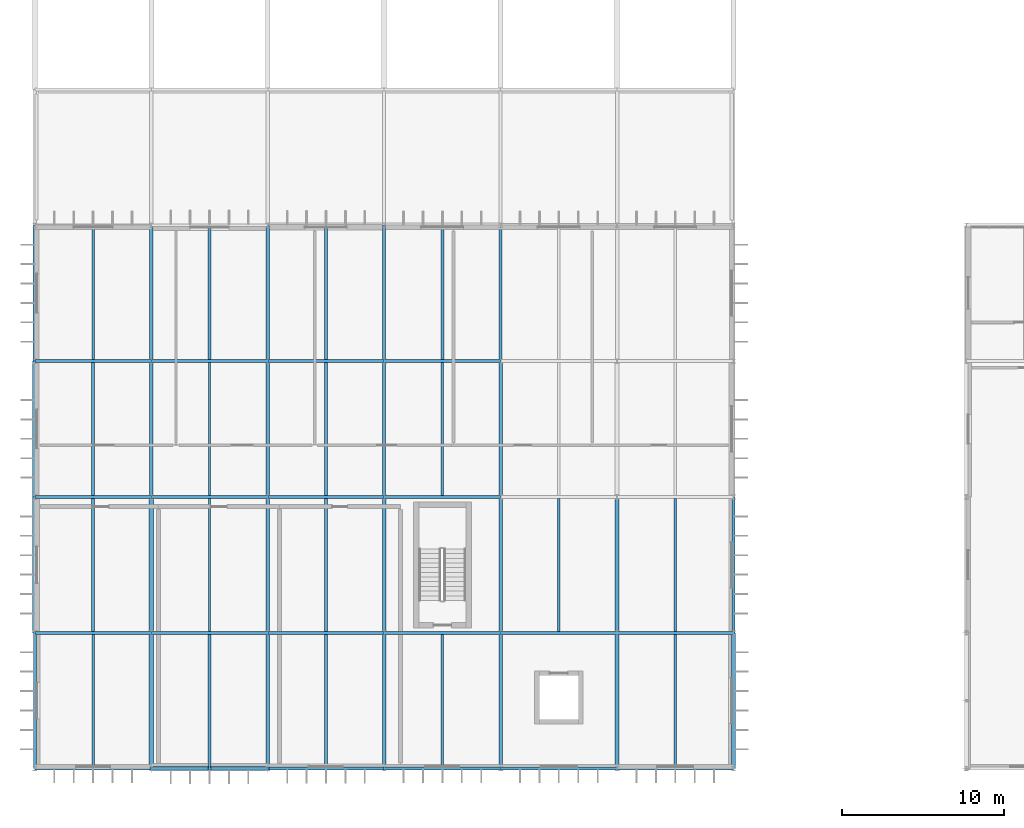
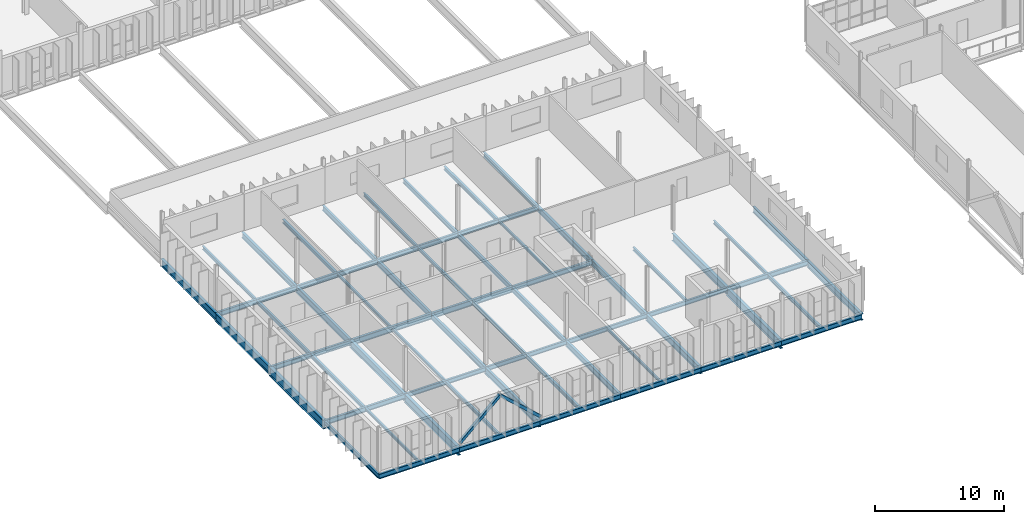
# One storey, part 26 of 119: 62 beams, 2 members.
"""IFC4 building model written with IfcOpenShell, lengths in metres."""

from ifc_helpers import new_model, si_unit, direction, frame, origin, origin_2d, place, context, subcontext, project, spatial, hollow_rectangle, i_section, extrude, material, material_profile, profile_set, type_object, element, save


model = new_model("IFC4")

# Units and contexts
model_context = context("Model", 3, precision=1e-05, world=origin(), true_north=direction((0.0, 1.0)))
body_context = subcontext(model_context, "Body", "Model", "MODEL_VIEW")
ifc_project = project(units=[si_unit("LENGTHUNIT", "METRE"), si_unit("AREAUNIT", "SQUARE_METRE"), si_unit("VOLUMEUNIT", "CUBIC_METRE"), si_unit("PLANEANGLEUNIT", "RADIAN"), si_unit("MASSUNIT", "GRAM", prefix="KILO")], contexts=[model_context])

# Site, building, storey
site_placement = place(None, origin())
site = spatial("IfcSite", under=ifc_project, at=site_placement, CompositionType="ELEMENT")
building_placement = place(site_placement, origin())
building = spatial("IfcBuilding", under=site, at=building_placement, Name="Qelthora Terrace Specialist Clinic", CompositionType="ELEMENT")
storey_placement = place(building_placement, frame((0.0, 0.0, 4.800048828125)))
storey = spatial("IfcBuildingStorey", under=building, at=storey_placement, Name="L01", CompositionType="ELEMENT", Elevation=4.800048828125)

# Beams
ifc_material = material(Name="Steel S355", Category="steel")
ifc_material_profile_1 = material_profile(ifc_material, i_section(OverallWidth=0.178955078125, OverallDepth=0.409912109375, WebThickness=0.0087890625, FlangeThickness=0.014404296875, FilletRadius=0.011962890625, at=origin_2d()), Name="W410X67")
ifc_profile_set_1 = profile_set([ifc_material_profile_1], Name="Steel S355")
beam_type_1 = type_object("IfcBeamType", Name="BM-W410X67", PredefinedType="BEAM", material=ifc_profile_set_1)
beam_1_placement = place(storey_placement, frame((14.39990234375, 8.39990234375, -0.455078125), z_axis=(1.0, 0.0, 0.0), x_axis=(0.0, 1.0, 0.0)))
element("IfcBeam", 1, at=beam_1_placement, inside=storey, type_object=beam_type_1, Name="Girder BMX-L01-0150", PredefinedType="BEAM", context=body_context, shape_type="SweptSolid", body=[
    extrude(i_section(OverallWidth=0.178955078125, OverallDepth=0.409912109375, WebThickness=0.0087890625, FlangeThickness=0.014404296875, FilletRadius=0.011962890625, at=origin_2d()), origin(), (0.0, 0.0, 1.0), 7.2001953125),
])
beam_2_placement = place(storey_placement, frame((28.800048828125, 8.39990234375, -0.455078125), z_axis=(1.0, 0.0, 0.0), x_axis=(0.0, 1.0, 0.0)))
element("IfcBeam", 2, at=beam_2_placement, inside=storey, type_object=beam_type_1, Name="Girder BMX-L01-0152", PredefinedType="BEAM", context=body_context, shape_type="SweptSolid", body=[
    extrude(i_section(OverallWidth=0.178955078125, OverallDepth=0.409912109375, WebThickness=0.0087890625, FlangeThickness=0.014404296875, FilletRadius=0.011962890625, at=origin_2d()), origin(), (0.0, 0.0, 1.0), 7.199951171875),
])
beam_3_placement = place(storey_placement, frame((0.0, 0.0, -0.455078125), z_axis=(0.0, 1.0, 0.0), x_axis=(-1.0, 0.0, 0.0)))
element("IfcBeam", 3, at=beam_3_placement, inside=storey, type_object=beam_type_1, Name="Girder BMY-L01-0340", PredefinedType="BEAM", context=body_context, shape_type="SweptSolid", body=[
    extrude(i_section(OverallWidth=0.178955078125, OverallDepth=0.409912109375, WebThickness=0.0087890625, FlangeThickness=0.014404296875, FilletRadius=0.011962890625, at=origin_2d()), origin(), (0.0, 0.0, 1.0), 8.39990234375),
])
ifc_material_profile_2 = material_profile(ifc_material, i_section(OverallWidth=0.179931640625, OverallDepth=0.4130859375, WebThickness=0.009765625, FlangeThickness=0.01611328125, FilletRadius=0.011962890625, at=origin_2d()), Name="W410X75")
ifc_profile_set_2 = profile_set([ifc_material_profile_2], Name="Steel S355")
beam_type_2 = type_object("IfcBeamType", Name="BM-W410X75", PredefinedType="BEAM", material=ifc_profile_set_2)
for number, where, z_axis, x_axis, name in (
    (4, (7.199951171875, 8.39990234375, -0.45654296875), (1.0, 0.0, 0.0), (0.0, 1.0, 0.0), "Girder BMX-L01-0149"),
    (5, (21.60009765625, 8.39990234375, -0.45654296875), (1.0, 0.0, 0.0), (0.0, 1.0, 0.0), "Girder BMX-L01-0151"),
    (6, (21.60009765625, 25.199951171875, -0.45654296875), (1.0, 0.0, 0.0), (0.0, 1.0, 0.0), "Girder BMX-L01-0177"),
):
    element("IfcBeam", number, at=place(storey_placement, frame(where, z_axis=z_axis, x_axis=x_axis)), inside=storey, type_object=beam_type_2, Name=name, PredefinedType="BEAM", context=body_context, shape_type="SweptSolid", body=[
        extrude(i_section(OverallWidth=0.179931640625, OverallDepth=0.4130859375, WebThickness=0.009765625, FlangeThickness=0.01611328125, FilletRadius=0.011962890625, at=origin_2d()), origin(), (0.0, 0.0, 1.0), 7.199951171875),
    ])
beam_4_placement = place(storey_placement, frame((21.60009765625, 25.199951171875, -0.45654296875), z_axis=(0.0, 1.0, 0.0), x_axis=(-1.0, 0.0, 0.0)))
element("IfcBeam", 7, at=beam_4_placement, inside=storey, type_object=beam_type_2, Name="Girder BMY-L01-0379", PredefinedType="BEAM", context=body_context, shape_type="SweptSolid", body=[
    extrude(i_section(OverallWidth=0.179931640625, OverallDepth=0.4130859375, WebThickness=0.009765625, FlangeThickness=0.01611328125, FilletRadius=0.011962890625, at=origin_2d()), origin(), (0.0, 0.0, 1.0), 8.400146484375),
])
ifc_material_profile_3 = material_profile(ifc_material, i_section(OverallWidth=0.19091796875, OverallDepth=0.4599609375, WebThickness=0.010009765625, FlangeThickness=0.01611328125, FilletRadius=0.012939453125, at=origin_2d()), Name="W460X82")
ifc_profile_set_3 = profile_set([ifc_material_profile_3], Name="Steel S355")
beam_type_3 = type_object("IfcBeamType", Name="BM-W460X82", PredefinedType="BEAM", material=ifc_profile_set_3)
beam_5_placement = place(storey_placement, frame((36.0, 8.39990234375, -0.47998046875), z_axis=(1.0, 0.0, 0.0), x_axis=(0.0, 1.0, 0.0)))
element("IfcBeam", 8, at=beam_5_placement, inside=storey, type_object=beam_type_3, Name="Girder BMX-L01-0153", PredefinedType="BEAM", context=body_context, shape_type="SweptSolid", body=[
    extrude(i_section(OverallWidth=0.19091796875, OverallDepth=0.4599609375, WebThickness=0.010009765625, FlangeThickness=0.01611328125, FilletRadius=0.012939453125, at=origin_2d()), origin(), (0.0, 0.0, 1.0), 7.199951171875),
])
beam_6_placement = place(storey_placement, frame((14.39990234375, 25.199951171875, -0.47998046875), z_axis=(1.0, 0.0, 0.0), x_axis=(0.0, 1.0, 0.0)))
element("IfcBeam", 9, at=beam_6_placement, inside=storey, type_object=beam_type_3, Name="Girder BMX-L01-0176", PredefinedType="BEAM", context=body_context, shape_type="SweptSolid", body=[
    extrude(i_section(OverallWidth=0.19091796875, OverallDepth=0.4599609375, WebThickness=0.010009765625, FlangeThickness=0.01611328125, FilletRadius=0.012939453125, at=origin_2d()), origin(), (0.0, 0.0, 1.0), 7.2001953125),
])
beam_7_placement = place(storey_placement, frame((21.60009765625, 16.800048828125, -0.47998046875), z_axis=(0.0, 1.0, 0.0), x_axis=(-1.0, 0.0, 0.0)))
element("IfcBeam", 10, at=beam_7_placement, inside=storey, type_object=beam_type_3, Name="Girder BMY-L01-0378", PredefinedType="BEAM", context=body_context, shape_type="SweptSolid", body=[
    extrude(i_section(OverallWidth=0.19091796875, OverallDepth=0.4599609375, WebThickness=0.010009765625, FlangeThickness=0.01611328125, FilletRadius=0.012939453125, at=origin_2d()), origin(), (0.0, 0.0, 1.0), 8.39990234375),
])
ifc_material_profile_4 = material_profile(ifc_material, i_section(OverallWidth=0.193115234375, OverallDepth=0.466064453125, WebThickness=0.011474609375, FlangeThickness=0.01904296875, FilletRadius=0.012939453125, at=origin_2d()), Name="W460X97")
ifc_profile_set_4 = profile_set([ifc_material_profile_4], Name="Steel S355")
beam_type_4 = type_object("IfcBeamType", Name="BM-W460X97", PredefinedType="BEAM", material=ifc_profile_set_4)
for number, where, z_axis, x_axis, name in (
    (11, (21.60009765625, 16.800048828125, -0.483154296875), (1.0, 0.0, 0.0), (0.0, 1.0, 0.0), "Girder BMX-L01-0161"),
    (12, (7.199951171875, 25.199951171875, -0.483154296875), (1.0, 0.0, 0.0), (0.0, 1.0, 0.0), "Girder BMX-L01-0175"),
):
    element("IfcBeam", number, at=place(storey_placement, frame(where, z_axis=z_axis, x_axis=x_axis)), inside=storey, type_object=beam_type_4, Name=name, PredefinedType="BEAM", context=body_context, shape_type="SweptSolid", body=[
        extrude(i_section(OverallWidth=0.193115234375, OverallDepth=0.466064453125, WebThickness=0.011474609375, FlangeThickness=0.01904296875, FilletRadius=0.012939453125, at=origin_2d()), origin(), (0.0, 0.0, 1.0), 7.199951171875),
    ])
for number, where, z_axis, x_axis, name in (
    (13, (14.39990234375, 25.199951171875, -0.483154296875), (0.0, 1.0, 0.0), (-1.0, 0.0, 0.0), "Girder BMY-L01-0367"),
    (14, (21.60009765625, 8.39990234375, -0.483154296875), (0.0, 1.0, 0.0), (-1.0, 0.0, 0.0), "Girder BMY-L01-0377"),
    (15, (28.800048828125, 25.199951171875, -0.483154296875), (0.0, 1.0, 0.0), (-1.0, 0.0, 0.0), "Girder BMY-L01-0387"),
):
    element("IfcBeam", number, at=place(storey_placement, frame(where, z_axis=z_axis, x_axis=x_axis)), inside=storey, type_object=beam_type_4, Name=name, PredefinedType="BEAM", context=body_context, shape_type="SweptSolid", body=[
        extrude(i_section(OverallWidth=0.193115234375, OverallDepth=0.466064453125, WebThickness=0.011474609375, FlangeThickness=0.01904296875, FilletRadius=0.012939453125, at=origin_2d()), origin(), (0.0, 0.0, 1.0), 8.400146484375),
    ])
ifc_material_profile_5 = material_profile(ifc_material, i_section(OverallWidth=0.2099609375, OverallDepth=0.537109375, WebThickness=0.010986328125, FlangeThickness=0.017333984375, FilletRadius=0.013916015625, at=origin_2d()), Name="W530X101")
ifc_profile_set_5 = profile_set([ifc_material_profile_5], Name="Steel S355")
beam_type_5 = type_object("IfcBeamType", Name="BM-W530X101", PredefinedType="BEAM", material=ifc_profile_set_5)
beam_8_placement = place(storey_placement, frame((14.39990234375, 16.800048828125, -0.5185546875), z_axis=(1.0, 0.0, 0.0), x_axis=(0.0, 1.0, 0.0)))
element("IfcBeam", 16, at=beam_8_placement, inside=storey, type_object=beam_type_5, Name="Girder BMX-L01-0160", PredefinedType="BEAM", context=body_context, shape_type="SweptSolid", body=[
    extrude(i_section(OverallWidth=0.2099609375, OverallDepth=0.537109375, WebThickness=0.010986328125, FlangeThickness=0.017333984375, FilletRadius=0.013916015625, at=origin_2d()), origin(), (0.0, 0.0, 1.0), 7.2001953125),
])
for number, where, z_axis, x_axis, name in (
    (17, (14.39990234375, 16.800048828125, -0.5185546875), (0.0, 1.0, 0.0), (-1.0, 0.0, 0.0), "Girder BMY-L01-0366"),
    (18, (21.60009765625, 0.0, -0.5185546875), (0.0, 1.0, 0.0), (-1.0, 0.0, 0.0), "Girder BMY-L01-0376"),
    (19, (28.800048828125, 16.800048828125, -0.5185546875), (0.0, 1.0, 0.0), (-1.0, 0.0, 0.0), "Girder BMY-L01-0386"),
):
    element("IfcBeam", number, at=place(storey_placement, frame(where, z_axis=z_axis, x_axis=x_axis)), inside=storey, type_object=beam_type_5, Name=name, PredefinedType="BEAM", context=body_context, shape_type="SweptSolid", body=[
        extrude(i_section(OverallWidth=0.2099609375, OverallDepth=0.537109375, WebThickness=0.010986328125, FlangeThickness=0.017333984375, FilletRadius=0.013916015625, at=origin_2d()), origin(), (0.0, 0.0, 1.0), 8.39990234375),
    ])
ifc_material_profile_6 = material_profile(ifc_material, i_section(OverallWidth=0.2119140625, OverallDepth=0.5439453125, WebThickness=0.01318359375, FlangeThickness=0.021240234375, FilletRadius=0.013916015625, at=origin_2d()), Name="W530X123")
ifc_profile_set_6 = profile_set([ifc_material_profile_6], Name="Steel S355")
beam_type_6 = type_object("IfcBeamType", Name="BM-W530X123", PredefinedType="BEAM", material=ifc_profile_set_6)
beam_9_placement = place(storey_placement, frame((7.199951171875, 16.800048828125, -0.52197265625), z_axis=(1.0, 0.0, 0.0), x_axis=(0.0, 1.0, 0.0)))
element("IfcBeam", 20, at=beam_9_placement, inside=storey, type_object=beam_type_6, Name="Girder BMX-L01-0159", PredefinedType="BEAM", context=body_context, shape_type="SweptSolid", body=[
    extrude(i_section(OverallWidth=0.2119140625, OverallDepth=0.5439453125, WebThickness=0.01318359375, FlangeThickness=0.021240234375, FilletRadius=0.013916015625, at=origin_2d()), origin(), (0.0, 0.0, 1.0), 7.199951171875),
])
for number, where, z_axis, x_axis, name in (
    (21, (7.199951171875, 25.199951171875, -0.52197265625), (0.0, 1.0, 0.0), (-1.0, 0.0, 0.0), "Girder BMY-L01-0355"),
    (22, (14.39990234375, 8.39990234375, -0.52197265625), (0.0, 1.0, 0.0), (-1.0, 0.0, 0.0), "Girder BMY-L01-0365"),
    (23, (28.800048828125, 8.39990234375, -0.52197265625), (0.0, 1.0, 0.0), (-1.0, 0.0, 0.0), "Girder BMY-L01-0385"),
    (24, (43.199951171875, 8.39990234375, -0.52197265625), (0.0, 1.0, 0.0), (-1.0, 0.0, 0.0), "Girder BMY-L01-0405"),
):
    element("IfcBeam", number, at=place(storey_placement, frame(where, z_axis=z_axis, x_axis=x_axis)), inside=storey, type_object=beam_type_6, Name=name, PredefinedType="BEAM", context=body_context, shape_type="SweptSolid", body=[
        extrude(i_section(OverallWidth=0.2119140625, OverallDepth=0.5439453125, WebThickness=0.01318359375, FlangeThickness=0.021240234375, FilletRadius=0.013916015625, at=origin_2d()), origin(), (0.0, 0.0, 1.0), 8.400146484375),
    ])
ifc_material_profile_7 = material_profile(ifc_material, i_section(OverallWidth=0.22998046875, OverallDepth=0.616943359375, WebThickness=0.01318359375, FlangeThickness=0.022216796875, FilletRadius=0.01611328125, at=origin_2d()), Name="W610X140")
ifc_profile_set_7 = profile_set([ifc_material_profile_7], Name="Steel S355")
beam_type_7 = type_object("IfcBeamType", Name="BM-W610X140", PredefinedType="BEAM", material=ifc_profile_set_7)
for number, where, z_axis, x_axis, name in (
    (25, (7.199951171875, 16.800048828125, -0.55859375), (0.0, 1.0, 0.0), (-1.0, 0.0, 0.0), "Girder BMY-L01-0354"),
    (26, (14.39990234375, 0.0, -0.55859375), (0.0, 1.0, 0.0), (-1.0, 0.0, 0.0), "Girder BMY-L01-0364"),
    (27, (28.800048828125, 0.0, -0.55859375), (0.0, 1.0, 0.0), (-1.0, 0.0, 0.0), "Girder BMY-L01-0384"),
    (28, (43.199951171875, 0.0, -0.55859375), (0.0, 1.0, 0.0), (-1.0, 0.0, 0.0), "Girder BMY-L01-0404"),
):
    element("IfcBeam", number, at=place(storey_placement, frame(where, z_axis=z_axis, x_axis=x_axis)), inside=storey, type_object=beam_type_7, Name=name, PredefinedType="BEAM", context=body_context, shape_type="SweptSolid", body=[
        extrude(i_section(OverallWidth=0.22998046875, OverallDepth=0.616943359375, WebThickness=0.01318359375, FlangeThickness=0.022216796875, FilletRadius=0.01611328125, at=origin_2d()), origin(), (0.0, 0.0, 1.0), 8.39990234375),
    ])
ifc_material_profile_8 = material_profile(ifc_material, i_section(OverallWidth=0.256103515625, OverallDepth=0.693115234375, WebThickness=0.014404296875, FlangeThickness=0.023681640625, FilletRadius=0.01806640625, at=origin_2d()), Name="W690X170")
ifc_profile_set_8 = profile_set([ifc_material_profile_8], Name="Steel S355")
beam_type_8 = type_object("IfcBeamType", Name="BM-W690X170", PredefinedType="BEAM", material=ifc_profile_set_8)
for number, where, z_axis, x_axis, name in (
    (29, (0.0, 25.199951171875, -0.596435546875), (0.0, 1.0, 0.0), (-1.0, 0.0, 0.0), "Girder BMY-L01-0343"),
    (30, (7.199951171875, 8.39990234375, -0.596435546875), (0.0, 1.0, 0.0), (-1.0, 0.0, 0.0), "Girder BMY-L01-0353"),
    (31, (36.0, 8.39990234375, -0.596435546875), (0.0, 1.0, 0.0), (-1.0, 0.0, 0.0), "Girder BMY-L01-0393"),
):
    element("IfcBeam", number, at=place(storey_placement, frame(where, z_axis=z_axis, x_axis=x_axis)), inside=storey, type_object=beam_type_8, Name=name, PredefinedType="BEAM", context=body_context, shape_type="SweptSolid", body=[
        extrude(i_section(OverallWidth=0.256103515625, OverallDepth=0.693115234375, WebThickness=0.014404296875, FlangeThickness=0.023681640625, FilletRadius=0.01806640625, at=origin_2d()), origin(), (0.0, 0.0, 1.0), 8.400146484375),
    ])
ifc_material_profile_9 = material_profile(ifc_material, i_section(OverallWidth=0.26806640625, OverallDepth=0.77001953125, WebThickness=0.015625, FlangeThickness=0.025390625, FilletRadius=0.01904296875, at=origin_2d()), Name="W760X196")
ifc_profile_set_9 = profile_set([ifc_material_profile_9], Name="Steel S355")
beam_type_9 = type_object("IfcBeamType", Name="BM-W760X196", PredefinedType="BEAM", material=ifc_profile_set_9)
for number, where, z_axis, x_axis, name in (
    (32, (0.0, 16.800048828125, -0.635009765625), (0.0, 1.0, 0.0), (-1.0, 0.0, 0.0), "Girder BMY-L01-0342"),
    (33, (7.199951171875, 0.0, -0.635009765625), (0.0, 1.0, 0.0), (-1.0, 0.0, 0.0), "Girder BMY-L01-0352"),
    (34, (36.0, 0.0, -0.635009765625), (0.0, 1.0, 0.0), (-1.0, 0.0, 0.0), "Girder BMY-L01-0392"),
):
    element("IfcBeam", number, at=place(storey_placement, frame(where, z_axis=z_axis, x_axis=x_axis)), inside=storey, type_object=beam_type_9, Name=name, PredefinedType="BEAM", context=body_context, shape_type="SweptSolid", body=[
        extrude(i_section(OverallWidth=0.26806640625, OverallDepth=0.77001953125, WebThickness=0.015625, FlangeThickness=0.025390625, FilletRadius=0.01904296875, at=origin_2d()), origin(), (0.0, 0.0, 1.0), 8.39990234375),
    ])
ifc_material_profile_10 = material_profile(ifc_material, i_section(OverallWidth=0.2939453125, OverallDepth=0.85107421875, WebThickness=0.01611328125, FlangeThickness=0.02685546875, FilletRadius=0.02001953125, at=origin_2d()), Name="W840X226")
ifc_profile_set_10 = profile_set([ifc_material_profile_10], Name="Steel S355")
beam_type_10 = type_object("IfcBeamType", Name="BM-W840X226", PredefinedType="BEAM", material=ifc_profile_set_10)
beam_10_placement = place(storey_placement, frame((0.0, 8.39990234375, -0.675537109375), z_axis=(0.0, 1.0, 0.0), x_axis=(-1.0, 0.0, 0.0)))
element("IfcBeam", 35, at=beam_10_placement, inside=storey, type_object=beam_type_10, Name="Girder BMY-L01-0341", PredefinedType="BEAM", context=body_context, shape_type="SweptSolid", body=[
    extrude(i_section(OverallWidth=0.2939453125, OverallDepth=0.85107421875, WebThickness=0.01611328125, FlangeThickness=0.02685546875, FilletRadius=0.02001953125, at=origin_2d()), origin(), (0.0, 0.0, 1.0), 8.400146484375),
])
ifc_material_profile_11 = material_profile(ifc_material, i_section(OverallWidth=0.14599609375, OverallDepth=0.258056640625, WebThickness=0.006103515625, FlangeThickness=0.009033203125, FilletRadius=0.009033203125, at=origin_2d()), Name="W250X33")
ifc_profile_set_11 = profile_set([ifc_material_profile_11], Name="Steel S355")
beam_type_11 = type_object("IfcBeamType", Name="JST-W250X33", PredefinedType="JOIST", material=ifc_profile_set_11)
beam_11_placement = place(storey_placement, frame((3.60009765625, 0.095458984375, -0.379150390625), z_axis=(0.0, 1.0, 0.0), x_axis=(-1.0, 0.0, 0.0)))
element("IfcBeam", 36, at=beam_11_placement, inside=storey, type_object=beam_type_11, Name="Composite floor joist JST-L01-0042", PredefinedType="JOIST", context=body_context, shape_type="SweptSolid", body=[
    extrude(i_section(OverallWidth=0.14599609375, OverallDepth=0.258056640625, WebThickness=0.006103515625, FlangeThickness=0.009033203125, FilletRadius=0.009033203125, at=origin_2d()), origin(), (0.0, 0.0, 1.0), 8.208984375),
])
beam_12_placement = place(storey_placement, frame((10.800048828125, 16.906005859375, -0.379150390625), z_axis=(0.0, 1.0, 0.0), x_axis=(-1.0, 0.0, 0.0)))
element("IfcBeam", 37, at=beam_12_placement, inside=storey, type_object=beam_type_11, Name="Composite floor joist JST-L01-0054", PredefinedType="JOIST", context=body_context, shape_type="SweptSolid", body=[
    extrude(i_section(OverallWidth=0.14599609375, OverallDepth=0.258056640625, WebThickness=0.006103515625, FlangeThickness=0.009033203125, FilletRadius=0.009033203125, at=origin_2d()), origin(), (0.0, 0.0, 1.0), 8.197509765625),
])
beam_13_placement = place(storey_placement, frame((25.199951171875, 16.896484375, -0.379150390625), z_axis=(0.0, 1.0, 0.0), x_axis=(-1.0, 0.0, 0.0)))
element("IfcBeam", 38, at=beam_13_placement, inside=storey, type_object=beam_type_11, Name="Composite floor joist JST-L01-0066", PredefinedType="JOIST", context=body_context, shape_type="SweptSolid", body=[
    extrude(i_section(OverallWidth=0.14599609375, OverallDepth=0.258056640625, WebThickness=0.006103515625, FlangeThickness=0.009033203125, FilletRadius=0.009033203125, at=origin_2d()), origin(), (0.0, 0.0, 1.0), 8.213623046875),
])
ifc_material_profile_12 = material_profile(ifc_material, i_section(OverallWidth=0.14697265625, OverallDepth=0.261962890625, WebThickness=0.006591796875, FlangeThickness=0.01123046875, FilletRadius=0.009033203125, at=origin_2d()), Name="W250X39")
ifc_profile_set_12 = profile_set([ifc_material_profile_12], Name="Steel S355")
beam_type_12 = type_object("IfcBeamType", Name="JST-W250X39", PredefinedType="JOIST", material=ifc_profile_set_12)
beam_14_placement = place(storey_placement, frame((10.800048828125, 8.489990234375, -0.381103515625), z_axis=(0.0, 1.0, 0.0), x_axis=(-1.0, 0.0, 0.0)))
element("IfcBeam", 39, at=beam_14_placement, inside=storey, type_object=beam_type_12, Name="Composite floor joist JST-L01-0053", PredefinedType="JOIST", context=body_context, shape_type="SweptSolid", body=[
    extrude(i_section(OverallWidth=0.14697265625, OverallDepth=0.261962890625, WebThickness=0.006591796875, FlangeThickness=0.01123046875, FilletRadius=0.009033203125, at=origin_2d()), origin(), (0.0, 0.0, 1.0), 8.2041015625),
])
beam_15_placement = place(storey_placement, frame((25.199951171875, 0.095458984375, -0.381103515625), z_axis=(0.0, 1.0, 0.0), x_axis=(-1.0, 0.0, 0.0)))
element("IfcBeam", 40, at=beam_15_placement, inside=storey, type_object=beam_type_12, Name="Composite floor joist JST-L01-0065", PredefinedType="JOIST", context=body_context, shape_type="SweptSolid", body=[
    extrude(i_section(OverallWidth=0.14697265625, OverallDepth=0.261962890625, WebThickness=0.006591796875, FlangeThickness=0.01123046875, FilletRadius=0.009033203125, at=origin_2d()), origin(), (0.0, 0.0, 1.0), 8.214599609375),
])
ifc_material_profile_13 = material_profile(ifc_material, i_section(OverallWidth=0.166015625, OverallDepth=0.31298828125, WebThickness=0.006591796875, FlangeThickness=0.01123046875, FilletRadius=0.010009765625, at=origin_2d()), Name="W310X45")
ifc_profile_set_13 = profile_set([ifc_material_profile_13], Name="Steel S355")
beam_type_13 = type_object("IfcBeamType", Name="JST-W310X45", PredefinedType="JOIST", material=ifc_profile_set_13)
beam_16_placement = place(storey_placement, frame((10.800048828125, 0.095458984375, -0.406494140625), z_axis=(0.0, 1.0, 0.0), x_axis=(-1.0, 0.0, 0.0)))
element("IfcBeam", 41, at=beam_16_placement, inside=storey, type_object=beam_type_13, Name="Composite floor joist JST-L01-0052", PredefinedType="JOIST", context=body_context, shape_type="SweptSolid", body=[
    extrude(i_section(OverallWidth=0.166015625, OverallDepth=0.31298828125, WebThickness=0.006591796875, FlangeThickness=0.01123046875, FilletRadius=0.010009765625, at=origin_2d()), origin(), (0.0, 0.0, 1.0), 8.214599609375),
])
beam_17_placement = place(storey_placement, frame((18.0, 25.29541015625, -0.406494140625), z_axis=(0.0, 1.0, 0.0), x_axis=(-1.0, 0.0, 0.0)))
element("IfcBeam", 42, at=beam_17_placement, inside=storey, type_object=beam_type_13, Name="Composite floor joist JST-L01-0064", PredefinedType="JOIST", context=body_context, shape_type="SweptSolid", body=[
    extrude(i_section(OverallWidth=0.166015625, OverallDepth=0.31298828125, WebThickness=0.006591796875, FlangeThickness=0.01123046875, FilletRadius=0.010009765625, at=origin_2d()), origin(), (0.0, 0.0, 1.0), 8.176513671875),
])
beam_18_placement = place(storey_placement, frame((32.39990234375, 8.489501953125, -0.406494140625), z_axis=(0.0, 1.0, 0.0), x_axis=(-1.0, 0.0, 0.0)))
element("IfcBeam", 43, at=beam_18_placement, inside=storey, type_object=beam_type_13, Name="Composite floor joist JST-L01-0070", PredefinedType="JOIST", context=body_context, shape_type="SweptSolid", body=[
    extrude(i_section(OverallWidth=0.166015625, OverallDepth=0.31298828125, WebThickness=0.006591796875, FlangeThickness=0.01123046875, FilletRadius=0.010009765625, at=origin_2d()), origin(), (0.0, 0.0, 1.0), 8.215087890625),
])
ifc_material_profile_14 = material_profile(ifc_material, i_section(OverallWidth=0.1669921875, OverallDepth=0.31689453125, WebThickness=0.007568359375, FlangeThickness=0.01318359375, FilletRadius=0.010009765625, at=origin_2d()), Name="W310X52")
ifc_profile_set_14 = profile_set([ifc_material_profile_14], Name="Steel S355")
beam_type_14 = type_object("IfcBeamType", Name="JST-W310X52", PredefinedType="JOIST", material=ifc_profile_set_14)
beam_19_placement = place(storey_placement, frame((3.60009765625, 25.29541015625, -0.408447265625), z_axis=(0.0, 1.0, 0.0), x_axis=(-1.0, 0.0, 0.0)))
element("IfcBeam", 44, at=beam_19_placement, inside=storey, type_object=beam_type_14, Name="Composite floor joist JST-L01-0045", PredefinedType="JOIST", context=body_context, shape_type="SweptSolid", body=[
    extrude(i_section(OverallWidth=0.1669921875, OverallDepth=0.31689453125, WebThickness=0.007568359375, FlangeThickness=0.01318359375, FilletRadius=0.010009765625, at=origin_2d()), origin(), (0.0, 0.0, 1.0), 8.208984375),
])
beam_20_placement = place(storey_placement, frame((18.0, 16.905029296875, -0.408447265625), z_axis=(0.0, 1.0, 0.0), x_axis=(-1.0, 0.0, 0.0)))
element("IfcBeam", 45, at=beam_20_placement, inside=storey, type_object=beam_type_14, Name="Composite floor joist JST-L01-0063", PredefinedType="JOIST", context=body_context, shape_type="SweptSolid", body=[
    extrude(i_section(OverallWidth=0.1669921875, OverallDepth=0.31689453125, WebThickness=0.007568359375, FlangeThickness=0.01318359375, FilletRadius=0.010009765625, at=origin_2d()), origin(), (0.0, 0.0, 1.0), 8.199462890625),
])
beam_21_placement = place(storey_placement, frame((39.60009765625, 8.49560546875, -0.408447265625), z_axis=(0.0, 1.0, 0.0), x_axis=(-1.0, 0.0, 0.0)))
element("IfcBeam", 46, at=beam_21_placement, inside=storey, type_object=beam_type_14, Name="Composite floor joist JST-L01-0075", PredefinedType="JOIST", context=body_context, shape_type="SweptSolid", body=[
    extrude(i_section(OverallWidth=0.1669921875, OverallDepth=0.31689453125, WebThickness=0.007568359375, FlangeThickness=0.01318359375, FilletRadius=0.010009765625, at=origin_2d()), origin(), (0.0, 0.0, 1.0), 8.21435546875),
])
ifc_material_profile_15 = material_profile(ifc_material, i_section(OverallWidth=0.172119140625, OverallDepth=0.35791015625, WebThickness=0.0078125, FlangeThickness=0.01318359375, FilletRadius=0.010986328125, at=origin_2d()), Name="W360X57")
ifc_profile_set_15 = profile_set([ifc_material_profile_15], Name="Steel S355")
beam_type_15 = type_object("IfcBeamType", Name="JST-W360X57", PredefinedType="JOIST", material=ifc_profile_set_15)
beam_22_placement = place(storey_placement, frame((3.60009765625, 16.8955078125, -0.428955078125), z_axis=(0.0, 1.0, 0.0), x_axis=(-1.0, 0.0, 0.0)))
element("IfcBeam", 47, at=beam_22_placement, inside=storey, type_object=beam_type_15, Name="Composite floor joist JST-L01-0044", PredefinedType="JOIST", context=body_context, shape_type="SweptSolid", body=[
    extrude(i_section(OverallWidth=0.172119140625, OverallDepth=0.35791015625, WebThickness=0.0078125, FlangeThickness=0.01318359375, FilletRadius=0.010986328125, at=origin_2d()), origin(), (0.0, 0.0, 1.0), 8.208984375),
])
beam_23_placement = place(storey_placement, frame((18.0, 8.489501953125, -0.428955078125), z_axis=(0.0, 1.0, 0.0), x_axis=(-1.0, 0.0, 0.0)))
element("IfcBeam", 48, at=beam_23_placement, inside=storey, type_object=beam_type_15, Name="Composite floor joist JST-L01-0062", PredefinedType="JOIST", context=body_context, shape_type="SweptSolid", body=[
    extrude(i_section(OverallWidth=0.172119140625, OverallDepth=0.35791015625, WebThickness=0.0078125, FlangeThickness=0.01318359375, FilletRadius=0.010986328125, at=origin_2d()), origin(), (0.0, 0.0, 1.0), 8.20556640625),
])
beam_24_placement = place(storey_placement, frame((39.60009765625, 0.095458984375, -0.428955078125), z_axis=(0.0, 1.0, 0.0), x_axis=(-1.0, 0.0, 0.0)))
element("IfcBeam", 49, at=beam_24_placement, inside=storey, type_object=beam_type_15, Name="Composite floor joist JST-L01-0074", PredefinedType="JOIST", context=body_context, shape_type="SweptSolid", body=[
    extrude(i_section(OverallWidth=0.172119140625, OverallDepth=0.35791015625, WebThickness=0.0078125, FlangeThickness=0.01318359375, FilletRadius=0.010986328125, at=origin_2d()), origin(), (0.0, 0.0, 1.0), 8.208984375),
])
ifc_material_profile_16 = material_profile(ifc_material, i_section(OverallWidth=0.202880859375, OverallDepth=0.346923828125, WebThickness=0.0078125, FlangeThickness=0.013427734375, FilletRadius=0.010986328125, at=origin_2d()), Name="W360X64")
ifc_profile_set_16 = profile_set([ifc_material_profile_16], Name="Steel S355")
beam_type_16 = type_object("IfcBeamType", Name="JST-W360X64", PredefinedType="JOIST", material=ifc_profile_set_16)
beam_25_placement = place(storey_placement, frame((3.60009765625, 8.49560546875, -0.423583984375), z_axis=(0.0, 1.0, 0.0), x_axis=(-1.0, 0.0, 0.0)))
element("IfcBeam", 50, at=beam_25_placement, inside=storey, type_object=beam_type_16, Name="Composite floor joist JST-L01-0043", PredefinedType="JOIST", context=body_context, shape_type="SweptSolid", body=[
    extrude(i_section(OverallWidth=0.202880859375, OverallDepth=0.346923828125, WebThickness=0.0078125, FlangeThickness=0.013427734375, FilletRadius=0.010986328125, at=origin_2d()), origin(), (0.0, 0.0, 1.0), 8.208984375),
])
beam_26_placement = place(storey_placement, frame((10.800048828125, 25.29638671875, -0.423583984375), z_axis=(0.0, 1.0, 0.0), x_axis=(-1.0, 0.0, 0.0)))
element("IfcBeam", 51, at=beam_26_placement, inside=storey, type_object=beam_type_16, Name="Composite floor joist JST-L01-0055", PredefinedType="JOIST", context=body_context, shape_type="SweptSolid", body=[
    extrude(i_section(OverallWidth=0.202880859375, OverallDepth=0.346923828125, WebThickness=0.0078125, FlangeThickness=0.013427734375, FilletRadius=0.010986328125, at=origin_2d()), origin(), (0.0, 0.0, 1.0), 8.214111328125),
])
beam_27_placement = place(storey_placement, frame((18.0, 0.095458984375, -0.423583984375), z_axis=(0.0, 1.0, 0.0), x_axis=(-1.0, 0.0, 0.0)))
element("IfcBeam", 52, at=beam_27_placement, inside=storey, type_object=beam_type_16, Name="Composite floor joist JST-L01-0061", PredefinedType="JOIST", context=body_context, shape_type="SweptSolid", body=[
    extrude(i_section(OverallWidth=0.202880859375, OverallDepth=0.346923828125, WebThickness=0.0078125, FlangeThickness=0.013427734375, FilletRadius=0.010986328125, at=origin_2d()), origin(), (0.0, 0.0, 1.0), 8.215087890625),
])
beam_28_placement = place(storey_placement, frame((25.199951171875, 25.2900390625, -0.423583984375), z_axis=(0.0, 1.0, 0.0), x_axis=(-1.0, 0.0, 0.0)))
element("IfcBeam", 53, at=beam_28_placement, inside=storey, type_object=beam_type_16, Name="Composite floor joist JST-L01-0067", PredefinedType="JOIST", context=body_context, shape_type="SweptSolid", body=[
    extrude(i_section(OverallWidth=0.202880859375, OverallDepth=0.346923828125, WebThickness=0.0078125, FlangeThickness=0.013427734375, FilletRadius=0.010986328125, at=origin_2d()), origin(), (0.0, 0.0, 1.0), 8.182861328125),
])

# Members
ifc_material_profile_17 = material_profile(ifc_material, hollow_rectangle(XDim=0.25, YDim=0.25, WallThickness=0.010009765625, at=origin_2d()), Name="HSS250X250X10")
ifc_profile_set_17 = profile_set([ifc_material_profile_17], Name="Steel S355")
member_type = type_object("IfcMemberType", Name="MEM-BRACE-HSS250", PredefinedType="BRACE", material=ifc_profile_set_17)
member_1_placement = place(storey_placement, frame((7.199951171875, 0.0, 0.179931640625), z_axis=(0.740226205678, 0.0, 0.672357913933), x_axis=(0.0, 1.0, 0.0)))
element("IfcMember", 54, at=member_1_placement, inside=storey, type_object=member_type, Name="Concentric seismic chevron brace B1-L01A", PredefinedType="BRACE", context=body_context, shape_type="SweptSolid", body=[
    extrude(hollow_rectangle(XDim=0.25, YDim=0.25, WallThickness=0.010009765625, at=origin_2d()), origin(), (0.0, 0.0, 1.0), 4.863525390625),
])
member_2_placement = place(storey_placement, frame((14.39990234375, 0.0, 0.179931640625), z_axis=(-0.740203511447, 0.0, 0.672382898089), x_axis=(0.0, -1.0, 0.0)))
element("IfcMember", 55, at=member_2_placement, inside=storey, type_object=member_type, Name="Concentric seismic chevron brace B1-L01B", PredefinedType="BRACE", context=body_context, shape_type="SweptSolid", body=[
    extrude(hollow_rectangle(XDim=0.25, YDim=0.25, WallThickness=0.010009765625, at=origin_2d()), origin(), (0.0, 0.0, 1.0), 4.86328125),
])

# Beams
ifc_material_profile_18 = material_profile(ifc_material, i_section(OverallWidth=0.19091796875, OverallDepth=0.4599609375, WebThickness=0.010009765625, FlangeThickness=0.01611328125, FilletRadius=0.012939453125, at=origin_2d()), Name="W460X82")
ifc_profile_set_18 = profile_set([ifc_material_profile_18], Name="Steel S355")
beam_type_17 = type_object("IfcBeamType", Name="SPD-W460X82", PredefinedType="SPANDREL", material=ifc_profile_set_18)
for number, where, z_axis, x_axis, name in (
    (56, (0.0, 0.0, -0.47998046875), (1.0, 0.0, 0.0), (0.0, 1.0, 0.0), "Girder BMX-L01-0127"),
    (57, (7.199951171875, 0.0, -0.47998046875), (1.0, 0.0, 0.0), (0.0, 1.0, 0.0), "Girder BMX-L01-0128"),
):
    element("IfcBeam", number, at=place(storey_placement, frame(where, z_axis=z_axis, x_axis=x_axis)), inside=storey, type_object=beam_type_17, Name=name, PredefinedType="SPANDREL", context=body_context, shape_type="SweptSolid", body=[
        extrude(i_section(OverallWidth=0.19091796875, OverallDepth=0.4599609375, WebThickness=0.010009765625, FlangeThickness=0.01611328125, FilletRadius=0.012939453125, at=origin_2d()), origin(), (0.0, 0.0, 1.0), 7.199951171875),
    ])
beam_29_placement = place(storey_placement, frame((14.39990234375, 0.0, -0.47998046875), z_axis=(1.0, 0.0, 0.0), x_axis=(0.0, 1.0, 0.0)))
element("IfcBeam", 58, at=beam_29_placement, inside=storey, type_object=beam_type_17, Name="Girder BMX-L01-0129", PredefinedType="SPANDREL", context=body_context, shape_type="SweptSolid", body=[
    extrude(i_section(OverallWidth=0.19091796875, OverallDepth=0.4599609375, WebThickness=0.010009765625, FlangeThickness=0.01611328125, FilletRadius=0.012939453125, at=origin_2d()), origin(), (0.0, 0.0, 1.0), 7.2001953125),
])
for number, where, z_axis, x_axis, name in (
    (59, (21.60009765625, 0.0, -0.47998046875), (1.0, 0.0, 0.0), (0.0, 1.0, 0.0), "Girder BMX-L01-0130"),
    (60, (28.800048828125, 0.0, -0.47998046875), (1.0, 0.0, 0.0), (0.0, 1.0, 0.0), "Girder BMX-L01-0131"),
    (61, (36.0, 0.0, -0.47998046875), (1.0, 0.0, 0.0), (0.0, 1.0, 0.0), "Girder BMX-L01-0132"),
    (62, (0.0, 8.39990234375, -0.47998046875), (1.0, 0.0, 0.0), (0.0, 1.0, 0.0), "Girder BMX-L01-0148"),
    (63, (0.0, 16.800048828125, -0.47998046875), (1.0, 0.0, 0.0), (0.0, 1.0, 0.0), "Girder BMX-L01-0158"),
    (64, (0.0, 25.199951171875, -0.47998046875), (1.0, 0.0, 0.0), (0.0, 1.0, 0.0), "Girder BMX-L01-0174"),
):
    element("IfcBeam", number, at=place(storey_placement, frame(where, z_axis=z_axis, x_axis=x_axis)), inside=storey, type_object=beam_type_17, Name=name, PredefinedType="SPANDREL", context=body_context, shape_type="SweptSolid", body=[
        extrude(i_section(OverallWidth=0.19091796875, OverallDepth=0.4599609375, WebThickness=0.010009765625, FlangeThickness=0.01611328125, FilletRadius=0.012939453125, at=origin_2d()), origin(), (0.0, 0.0, 1.0), 7.199951171875),
    ])

save(model, "model.ifc")
